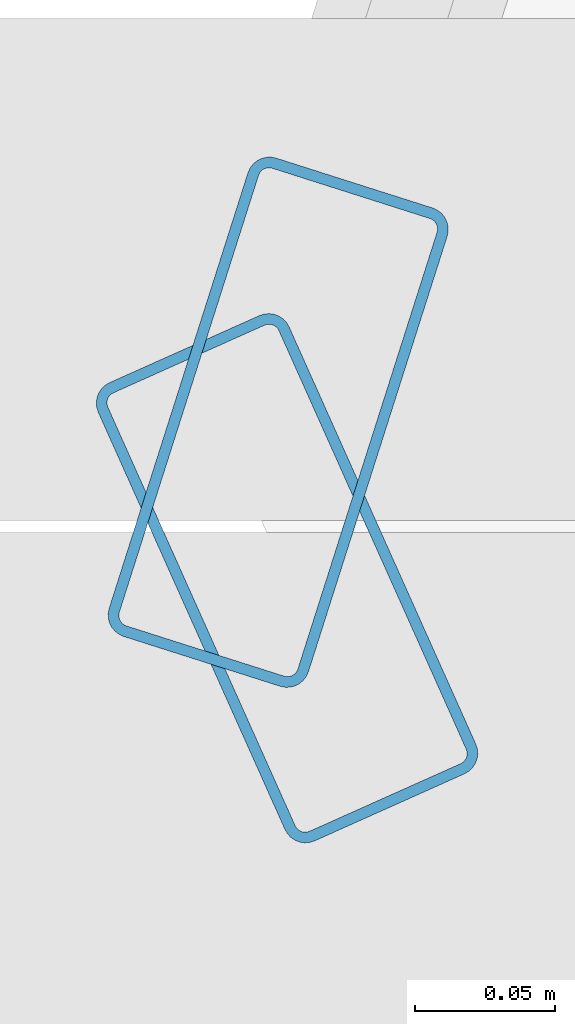
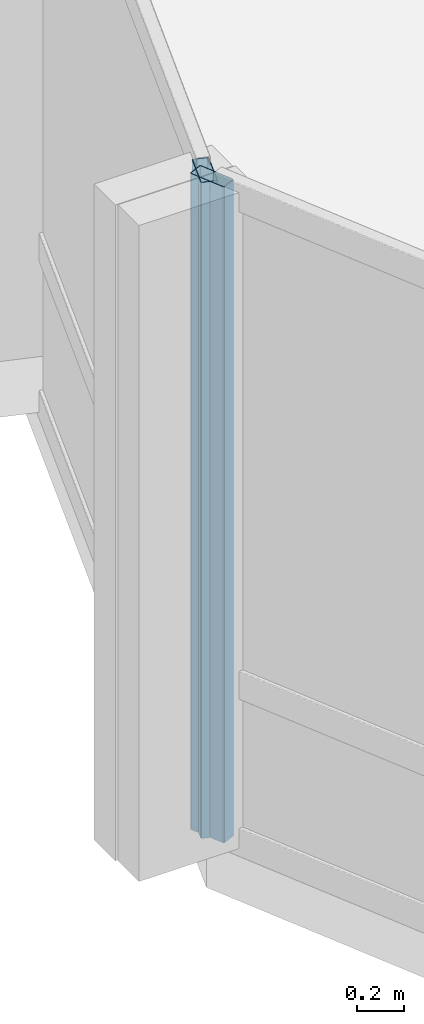
# One storey, part 6 of 19: 2 members, 2 elements without a shape of their own.
"""IFC4 building model written with IfcOpenShell, lengths in metres."""

from ifc_helpers import new_model, si_unit, direction, frame, origin, origin_2d, place, context, subcontext, project, spatial, hollow_rectangle, extrude, material, layer, layer_set, material_profile, profile_set, type_object, element, aggregate, save


model = new_model("IFC4")

# Units and contexts
model_context = context("Model", 3, precision=1e-05, world=origin(), true_north=direction((0.0, 1.0)))
body_context = subcontext(model_context, "Body", "Model", "MODEL_VIEW")
ifc_project = project(units=[si_unit("LENGTHUNIT", "METRE"), si_unit("AREAUNIT", "SQUARE_METRE"), si_unit("VOLUMEUNIT", "CUBIC_METRE"), si_unit("PLANEANGLEUNIT", "RADIAN"), si_unit("MASSUNIT", "GRAM", prefix="KILO")], contexts=[model_context])

# Site, building, storey
site_placement = place(None, origin())
site = spatial("IfcSite", under=ifc_project, at=site_placement, CompositionType="ELEMENT")
building_placement = place(site_placement, origin())
building = spatial("IfcBuilding", under=site, at=building_placement, Name="Solvaryn Broadcast Tower", CompositionType="ELEMENT")
storey_placement = place(building_placement, frame((0.0, 0.0, 244.5)))
storey = spatial("IfcBuildingStorey", under=building, at=storey_placement, Name="L61", CompositionType="ELEMENT", Elevation=244.5)

# Curtain wall, member
ifc_material_1 = material(Name="Aluminium and Terracotta Unitised Curtain Wall", Category="masonry")
ifc_layer_1 = layer(ifc_material_1, 0.199951171875)
ifc_layer_set_1 = layer_set([ifc_layer_1], Name="CW-SYS2-LOWMID")
curtain_wall_type_1 = type_object("IfcCurtainWallType", Name="CW-SYS2-LOWMID", PredefinedType="NOTDEFINED", material=ifc_layer_set_1)
curtain_wall_1_placement = place(storey_placement, origin())
curtain_wall_1 = element("IfcCurtainWall", 1, at=curtain_wall_1_placement, inside=storey, type_object=curtain_wall_type_1, Name="L61 Curtain Wall DR1", PredefinedType="NOTDEFINED")
ifc_material_2 = material(Name="Anodised Aluminium 6063-T6", Category="aluminium")
ifc_material_profile = material_profile(ifc_material_2, hollow_rectangle(XDim=0.074951171875, YDim=0.179931640625, WallThickness=0.00390625, InnerFilletRadius=0.00390625, OuterFilletRadius=0.008056640625, at=origin_2d()))
ifc_profile_set = profile_set([ifc_material_profile], Name="Anodised Aluminium 6063-T6")
member_type = type_object("IfcMemberType", Name="CW-MUL-180", PredefinedType="MULLION", material=ifc_profile_set)
member_1_placement = place(storey_placement, frame((3.7470703125, 26.66455078125, 0.0), z_axis=(0.0, 0.0, 1.0), x_axis=(0.952794594701, -0.30361564569, 0.0)))
member_1 = element("IfcMember", 2, at=member_1_placement, type_object=member_type, Name="CWS2 mullion 2", PredefinedType="MULLION", context=body_context, shape_type="SweptSolid", body=[
    extrude(hollow_rectangle(XDim=0.074951171875, YDim=0.179931640625, WallThickness=0.00390625, InnerFilletRadius=0.00390625, OuterFilletRadius=0.008056640625, at=origin_2d()), origin(), (0.0, 0.0, 1.0), 3.419921875),
])
aggregate(curtain_wall_1, [member_1])

ifc_material_3 = material(Name="Aluminium and Terracotta Unitised Curtain Wall", Category="masonry")
ifc_layer_2 = layer(ifc_material_3, 0.239990234375)
ifc_layer_set_2 = layer_set([ifc_layer_2], Name="CW-SYS3-BAYBOX")
curtain_wall_type_2 = type_object("IfcCurtainWallType", Name="CW-SYS3-BAYBOX", PredefinedType="NOTDEFINED", material=ifc_layer_set_2)
curtain_wall_2_placement = place(storey_placement, origin())
curtain_wall_2 = element("IfcCurtainWall", 3, at=curtain_wall_2_placement, inside=storey, type_object=curtain_wall_type_2, Name="L61 Curtain Wall DR2", PredefinedType="NOTDEFINED")
member_2_placement = place(storey_placement, frame((3.750244140625, 26.608642578125, 0.0), z_axis=(0.0, 0.0, 1.0), x_axis=(0.912773530574, 0.408466010682, 0.0)))
member_2 = element("IfcMember", 4, at=member_2_placement, type_object=member_type, Name="CWS3 mullion 1", PredefinedType="MULLION", context=body_context, shape_type="SweptSolid", body=[
    extrude(hollow_rectangle(XDim=0.074951171875, YDim=0.179931640625, WallThickness=0.00390625, InnerFilletRadius=0.00390625, OuterFilletRadius=0.008056640625, at=origin_2d()), origin(), (0.0, 0.0, 1.0), 3.419921875),
])
aggregate(curtain_wall_2, [member_2])

save(model, "model.ifc")
